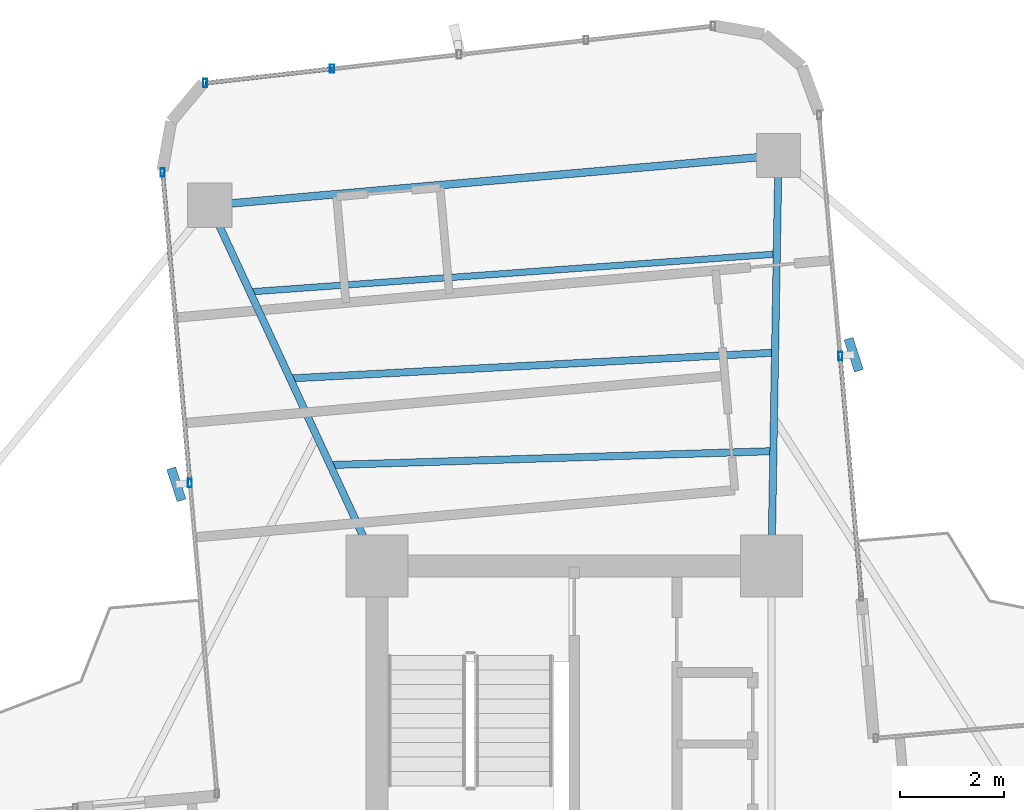
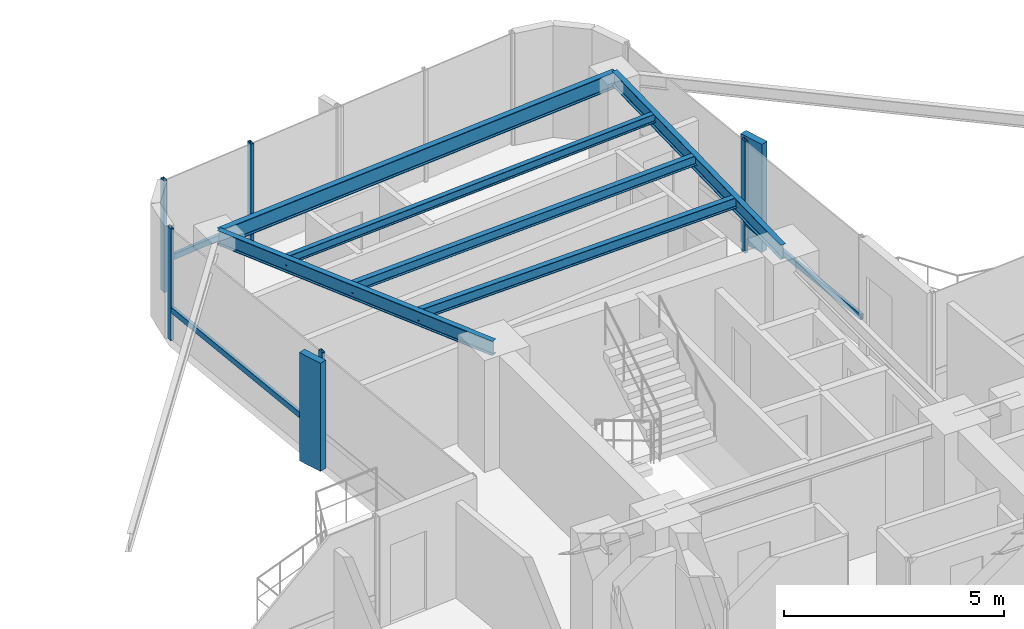
# One storey, part 16 of 24: 10 members, 6 beams, 3 elements without a shape of their own.
"""IFC4 building model written with IfcOpenShell, lengths in metres."""

from ifc_helpers import new_model, si_unit, direction, frame, origin, origin_2d, place, context, subcontext, project, spatial, rectangle, hollow_rectangle, i_section, extrude, source, transform, mapped, material, material_profile, profile_set, type_object, element, aggregate, save


model = new_model("IFC4")

# Units and contexts
model_context = context("Model", 3, precision=1e-05, world=origin(), true_north=direction((0.0, 1.0)))
body_context = subcontext(model_context, "Body", "Model", "MODEL_VIEW")
ifc_project = project(units=[si_unit("LENGTHUNIT", "METRE"), si_unit("AREAUNIT", "SQUARE_METRE"), si_unit("VOLUMEUNIT", "CUBIC_METRE"), si_unit("PLANEANGLEUNIT", "RADIAN"), si_unit("MASSUNIT", "GRAM", prefix="KILO")], contexts=[model_context])

# Site, building, storey
site_placement = place(None, origin())
site = spatial("IfcSite", under=ifc_project, at=site_placement, CompositionType="ELEMENT")
building_placement = place(site_placement, origin())
building = spatial("IfcBuilding", under=site, at=building_placement, Name="Sahyath Konkavel Grand Hotel", CompositionType="ELEMENT")
storey_placement = place(building_placement, frame((0.0, 0.0, 191.949951171875)))
storey = spatial("IfcBuildingStorey", under=building, at=storey_placement, Name="L53", CompositionType="ELEMENT", Elevation=191.949951171875)

# Beams
ifc_material_1 = material(Name="Steel E350", Category="steel")
ifc_material_profile_1 = material_profile(ifc_material_1, i_section(OverallWidth=0.139892578125, OverallDepth=0.39990234375, WebThickness=0.0087890625, FlangeThickness=0.01611328125, FilletRadius=0.013916015625, at=origin_2d()), Name="ISMB 400")
ifc_profile_set_1 = profile_set([ifc_material_profile_1], Name="Steel E350")
beam_type_1 = type_object("IfcBeamType", Name="BM-ISMB400", PredefinedType="BEAM", material=ifc_profile_set_1)
shared_shape_1 = source(origin(), body_context, "Body", "SweptSolid", [
    extrude(i_section(OverallWidth=0.139892578125, OverallDepth=0.39990234375, WebThickness=0.0087890625, FlangeThickness=0.01611328125, FilletRadius=0.013916015625, at=origin_2d()), origin(), (0.0, 0.0, 1.0), 7.913330078125),
])
beam_1_placement = place(storey_placement, frame((3.800048828125, 10.199951171875, 2.91015625), z_axis=(0.017215419232, 0.999851803689, 0.0), x_axis=(-0.999851803689, 0.017215419232, 0.0)))
element("IfcBeam", 1, at=beam_1_placement, inside=storey, type_object=beam_type_1, Name="L53 Cruciform Radial Girder NA", PredefinedType="BEAM", context=body_context, shape_type="MappedRepresentation", body=[
    mapped(shared_shape_1, transform((0.0, 0.0, 0.0), scale=1.0)),
])
shared_shape_2 = source(origin(), body_context, "Body", "SweptSolid", [
    extrude(i_section(OverallWidth=0.139892578125, OverallDepth=0.39990234375, WebThickness=0.0087890625, FlangeThickness=0.01611328125, FilletRadius=0.013916015625, at=origin_2d()), origin(), (0.0, 0.0, 1.0), 7.66357421875),
])
beam_2_placement = place(storey_placement, frame((-3.800048828125, 10.199951171875, 2.91015625), z_axis=(-0.420395127561, 0.907341135804, 0.0), x_axis=(-0.907341135804, -0.420395127561, 0.0)))
element("IfcBeam", 2, at=beam_2_placement, inside=storey, type_object=beam_type_1, Name="L53 Cruciform Radial Girder NB", PredefinedType="BEAM", context=body_context, shape_type="MappedRepresentation", body=[
    mapped(shared_shape_2, transform((0.0, 0.0, 0.0), scale=1.0)),
])
ifc_material_profile_2 = material_profile(ifc_material_1, i_section(OverallWidth=0.14990234375, OverallDepth=0.449951171875, WebThickness=0.009521484375, FlangeThickness=0.017333984375, FilletRadius=0.014892578125, at=origin_2d()), Name="ISMB 450")
ifc_profile_set_2 = profile_set([ifc_material_profile_2], Name="Steel E350")
beam_type_2 = type_object("IfcBeamType", Name="BM-ISMB450", PredefinedType="BEAM", material=ifc_profile_set_2)
shared_shape_3 = source(origin(), body_context, "Body", "SweptSolid", [
    extrude(i_section(OverallWidth=0.14990234375, OverallDepth=0.449951171875, WebThickness=0.009521484375, FlangeThickness=0.017333984375, FilletRadius=0.014892578125, at=origin_2d()), origin(), (0.0, 0.0, 1.0), 10.999755859375),
])
beam_3_placement = place(storey_placement, frame((3.936279296875, 18.112060546875, 2.885009765625), z_axis=(-0.99619439202, -0.087159241098, 0.0), x_axis=(0.087159241098, -0.99619439202, 0.0)))
element("IfcBeam", 3, at=beam_3_placement, inside=storey, type_object=beam_type_2, Name="L53 Wing Tip Edge Beam N", PredefinedType="BEAM", context=body_context, shape_type="MappedRepresentation", body=[
    mapped(shared_shape_3, transform((0.0, 0.0, 0.0), scale=1.0)),
])
ifc_material_profile_3 = material_profile(ifc_material_1, i_section(OverallWidth=0.139892578125, OverallDepth=0.300048828125, WebThickness=0.0078125, FlangeThickness=0.01318359375, FilletRadius=0.013916015625, at=origin_2d()), Name="ISMB 300")
ifc_profile_set_3 = profile_set([ifc_material_profile_3], Name="Steel E350")
beam_type_3 = type_object("IfcBeamType", Name="BM-ISMB300", PredefinedType="BEAM", material=ifc_profile_set_3)
shared_shape_4 = source(origin(), body_context, "Body", "SweptSolid", [
    extrude(i_section(OverallWidth=0.139892578125, OverallDepth=0.300048828125, WebThickness=0.0078125, FlangeThickness=0.01318359375, FilletRadius=0.013916015625, at=origin_2d()), origin(), (0.0, 0.0, 1.0), 8.54443359375),
])
beam_4_placement = place(storey_placement, frame((3.838134765625, 12.415283203125, 2.9599609375), z_axis=(-0.999506849365, -0.031401561632, 0.0), x_axis=(0.031401561632, -0.999506849365, 0.0)))
element("IfcBeam", 4, at=beam_4_placement, inside=storey, type_object=beam_type_3, Name="L53 Secondary Floor Beam N-1", PredefinedType="BEAM", context=body_context, shape_type="MappedRepresentation", body=[
    mapped(shared_shape_4, transform((0.0, 0.0, 0.0), scale=1.0)),
])
ifc_material_profile_4 = material_profile(ifc_material_1, i_section(OverallWidth=0.139892578125, OverallDepth=0.27490234375, WebThickness=0.00634765625, FlangeThickness=0.0087890625, FilletRadius=0.012939453125, at=origin_2d()), Name="ISLB 275")
ifc_profile_set_4 = profile_set([ifc_material_profile_4], Name="Steel E350")
beam_type_4 = type_object("IfcBeamType", Name="BM-ISLB275", PredefinedType="BEAM", material=ifc_profile_set_4)
shared_shape_5 = source(origin(), body_context, "Body", "SweptSolid", [
    extrude(i_section(OverallWidth=0.139892578125, OverallDepth=0.27490234375, WebThickness=0.00634765625, FlangeThickness=0.0087890625, FilletRadius=0.012939453125, at=origin_2d()), origin(), (0.0, 0.0, 1.0), 9.359375),
])
beam_5_placement = place(storey_placement, frame((3.870849609375, 14.314208984375, 2.97265625), z_axis=(-0.998580397723, -0.053265272769, 0.0), x_axis=(0.053265272769, -0.998580397723, 0.0)))
element("IfcBeam", 5, at=beam_5_placement, inside=storey, type_object=beam_type_4, Name="L53 Secondary Floor Beam N-2", PredefinedType="BEAM", context=body_context, shape_type="MappedRepresentation", body=[
    mapped(shared_shape_5, transform((0.0, 0.0, 0.0), scale=1.0)),
])
ifc_material_profile_5 = material_profile(ifc_material_1, i_section(OverallWidth=0.125, OverallDepth=0.25, WebThickness=0.0068359375, FlangeThickness=0.012451171875, FilletRadius=0.012939453125, at=origin_2d()), Name="ISMB 250")
ifc_profile_set_5 = profile_set([ifc_material_profile_5], Name="Steel E350")
beam_type_5 = type_object("IfcBeamType", Name="BM-ISMB250", PredefinedType="BEAM", material=ifc_profile_set_5)
shared_shape_6 = source(origin(), body_context, "Body", "SweptSolid", [
    extrude(i_section(OverallWidth=0.125, OverallDepth=0.25, WebThickness=0.0068359375, FlangeThickness=0.012451171875, FilletRadius=0.012939453125, at=origin_2d()), origin(), (0.0, 0.0, 1.0), 10.178466796875),
])
beam_6_placement = place(storey_placement, frame((3.90380859375, 16.213134765625, 2.985107421875), z_axis=(-0.997435268886, -0.071574327683, 0.0), x_axis=(0.071574327683, -0.997435268886, 0.0)))
element("IfcBeam", 6, at=beam_6_placement, inside=storey, type_object=beam_type_5, Name="L53 Secondary Floor Beam N-3", PredefinedType="BEAM", context=body_context, shape_type="MappedRepresentation", body=[
    mapped(shared_shape_6, transform((0.0, 0.0, 0.0), scale=1.0)),
])

# Curtain wall, member
ifc_material_2 = material(Name="Anodised Bronze Aluminium & Low-E Glazing", Category="aluminium")
curtain_wall_type = type_object("IfcCurtainWallType", Name="CW-ZONE3", PredefinedType="NOTDEFINED", material=ifc_material_2)
curtain_wall_1_placement = place(storey_placement, origin())
curtain_wall_1 = element("IfcCurtainWall", 7, at=curtain_wall_1_placement, inside=storey, type_object=curtain_wall_type, Name="L53 Unitised Curtain Wall F8", PredefinedType="NOTDEFINED")
ifc_material_3 = material(Name="Warm Buff Sandstone Cladding on Concrete C50/60", Category="masonry")
ifc_material_profile_6 = material_profile(ifc_material_3, rectangle(XDim=0.179931640625, YDim=0.64990234375, at=origin_2d()), Name="FIN 180x650")
ifc_profile_set_6 = profile_set([ifc_material_profile_6], Name="Warm Buff Sandstone Cladding on Concrete C50/60")
member_type_1 = type_object("IfcMemberType", Name="FIN-SANDSTONE-650", PredefinedType="MULLION", material=ifc_profile_set_6)
shared_shape_7 = source(origin(), body_context, "Body", "SweptSolid", [
    extrude(rectangle(XDim=0.179931640625, YDim=0.64990234375, at=origin_2d()), origin(), (0.0, 0.0, 1.0), 3.010009765625),
])
member_1_placement = place(storey_placement, frame((5.386474609375, 14.273681640625, 0.050048828125), z_axis=(0.0, 0.0, 1.0), x_axis=(0.951110435449, 0.308850998993, 0.0)))
member_1 = element("IfcMember", 8, at=member_1_placement, type_object=member_type_1, Name="L53 Sandstone Vertical Solar Fin FIN F8-1", PredefinedType="MULLION", context=body_context, shape_type="MappedRepresentation", body=[
    mapped(shared_shape_7, transform((0.0, 0.0, 0.0), scale=1.0)),
])

curtain_wall_2_placement = place(storey_placement, origin())
curtain_wall_2 = element("IfcCurtainWall", 9, at=curtain_wall_2_placement, inside=storey, type_object=curtain_wall_type, Name="L53 Unitised Curtain Wall F15", PredefinedType="NOTDEFINED")
member_2_placement = place(storey_placement, frame((-7.66552734375, 11.776611328125, 0.050048828125), z_axis=(0.0, 0.0, 1.0), x_axis=(0.951110435449, 0.308850998993, 0.0)))
member_2 = element("IfcMember", 10, at=member_2_placement, type_object=member_type_1, Name="L53 Sandstone Vertical Solar Fin FIN F15-1", PredefinedType="MULLION", context=body_context, shape_type="MappedRepresentation", body=[
    mapped(shared_shape_7, transform((0.0, 0.0, 0.0), scale=1.0)),
])

# Member
ifc_material_4 = material(Name="Anodised Bronze Aluminium", Category="aluminium")
ifc_material_profile_7 = material_profile(ifc_material_4, hollow_rectangle(XDim=0.080078125, YDim=0.159912109375, WallThickness=0.006103515625, at=origin_2d()), Name="RHS 160x80x6")
ifc_profile_set_7 = profile_set([ifc_material_profile_7], Name="Anodised Bronze Aluminium")
member_type_2 = type_object("IfcMemberType", Name="CW-MUL-160", PredefinedType="MULLION", material=ifc_profile_set_7)
shared_shape_8 = source(origin(), body_context, "Body", "SweptSolid", [
    extrude(hollow_rectangle(XDim=0.080078125, YDim=0.159912109375, WallThickness=0.006103515625, at=origin_2d()), origin(), (0.0, 0.0, 1.0), 3.110107421875),
])
member_3_placement = place(storey_placement, frame((5.12744140625, 14.251220703125, 0.0), z_axis=(0.0, 0.0, 1.0), x_axis=(1.0, 0.0, 0.0)))
member_3 = element("IfcMember", 11, at=member_3_placement, type_object=member_type_2, Name="L53 Curtain Wall Mullion F8-1", PredefinedType="MULLION", context=body_context, shape_type="MappedRepresentation", body=[
    mapped(shared_shape_8, transform((0.0, 0.0, 0.0), scale=1.0)),
])

# Curtain wall, members
curtain_wall_3_placement = place(storey_placement, origin())
curtain_wall_3 = element("IfcCurtainWall", 12, at=curtain_wall_3_placement, inside=storey, type_object=curtain_wall_type, Name="L53 Unitised Curtain Wall F12", PredefinedType="NOTDEFINED")
member_4_placement = place(storey_placement, frame((-4.665771484375, 19.783203125, 0.0), z_axis=(0.0, 0.0, 1.0), x_axis=(1.0, 0.0, 0.0)))
member_4 = element("IfcMember", 13, at=member_4_placement, type_object=member_type_2, Name="L53 Curtain Wall Mullion F12-3", PredefinedType="MULLION", context=body_context, shape_type="MappedRepresentation", body=[
    mapped(shared_shape_8, transform((0.0, 0.0, 0.0), scale=1.0)),
])
member_5_placement = place(storey_placement, frame((-7.1123046875, 19.507568359375, 0.0), z_axis=(0.0, 0.0, 1.0), x_axis=(1.0, 0.0, 0.0)))
member_5 = element("IfcMember", 14, at=member_5_placement, type_object=member_type_2, Name="L53 Curtain Wall Mullion F12-4", PredefinedType="MULLION", context=body_context, shape_type="MappedRepresentation", body=[
    mapped(shared_shape_8, transform((0.0, 0.0, 0.0), scale=1.0)),
])

# Member
member_6_placement = place(storey_placement, frame((-7.930419921875, 17.78662109375, 0.0), z_axis=(0.0, 0.0, 1.0), x_axis=(1.0, 0.0, 0.0)))
member_6 = element("IfcMember", 15, at=member_6_placement, type_object=member_type_2, Name="L53 Curtain Wall Mullion F15-0", PredefinedType="MULLION", context=body_context, shape_type="MappedRepresentation", body=[
    mapped(shared_shape_8, transform((0.0, 0.0, 0.0), scale=1.0)),
])

member_7_placement = place(storey_placement, frame((-7.406494140625, 11.79931640625, 0.0), z_axis=(0.0, 0.0, 1.0), x_axis=(1.0, 0.0, 0.0)))
member_7 = element("IfcMember", 16, at=member_7_placement, type_object=member_type_2, Name="L53 Curtain Wall Mullion F15-1", PredefinedType="MULLION", context=body_context, shape_type="MappedRepresentation", body=[
    mapped(shared_shape_8, transform((0.0, 0.0, 0.0), scale=1.0)),
])

ifc_material_profile_8 = material_profile(ifc_material_4, hollow_rectangle(XDim=0.080078125, YDim=0.159912109375, WallThickness=0.006103515625, at=origin_2d()), Name="RHS 160x80x6")
ifc_profile_set_8 = profile_set([ifc_material_profile_8], Name="Anodised Bronze Aluminium")
member_type_3 = type_object("IfcMemberType", Name="CW-TRN-160", PredefinedType="USERDEFINED", material=ifc_profile_set_8)
shared_shape_9 = source(origin(), body_context, "Body", "SweptSolid", [
    extrude(hollow_rectangle(XDim=0.080078125, YDim=0.159912109375, WallThickness=0.006103515625, at=origin_2d()), origin(), (0.0, 0.0, 1.0), 4.66015625),
])
member_8_placement = place(storey_placement, frame((5.53369140625, 9.60888671875, 0.85009765625), z_axis=(-0.087176698736, 0.996192864458, 0.0), x_axis=(-0.996192864458, -0.087176698736, 0.0)))
member_8 = element("IfcMember", 17, at=member_8_placement, type_object=member_type_3, Name="L53 Curtain Wall Transom F8-0-spandrel", ObjectType="TRANSOM", PredefinedType="USERDEFINED", context=body_context, shape_type="MappedRepresentation", body=[
    mapped(shared_shape_9, transform((0.0, 0.0, 0.0), scale=1.0)),
])

aggregate(curtain_wall_1, [member_3, member_1, member_8])

shared_shape_10 = source(origin(), body_context, "Body", "SweptSolid", [
    extrude(hollow_rectangle(XDim=0.080078125, YDim=0.159912109375, WallThickness=0.006103515625, at=origin_2d()), origin(), (0.0, 0.0, 1.0), 2.4619140625),
])
member_9_placement = place(storey_placement, frame((-4.665771484375, 19.783203125, 0.85009765625), z_axis=(-0.993713263833, -0.111955121731, 0.0), x_axis=(0.111955121731, -0.993713263833, 0.0)))
member_9 = element("IfcMember", 18, at=member_9_placement, type_object=member_type_3, Name="L53 Curtain Wall Transom F12-3-spandrel", ObjectType="TRANSOM", PredefinedType="USERDEFINED", context=body_context, shape_type="MappedRepresentation", body=[
    mapped(shared_shape_10, transform((0.0, 0.0, 0.0), scale=1.0)),
])

aggregate(curtain_wall_3, [member_4, member_5, member_9])

shared_shape_11 = source(origin(), body_context, "Body", "SweptSolid", [
    extrude(hollow_rectangle(XDim=0.080078125, YDim=0.159912109375, WallThickness=0.006103515625, at=origin_2d()), origin(), (0.0, 0.0, 1.0), 6.01025390625),
])
member_10_placement = place(storey_placement, frame((-7.930419921875, 17.78662109375, 0.85009765625), z_axis=(0.087172997156, -0.996193188376, 0.0), x_axis=(0.996193188376, 0.087172997156, 0.0)))
member_10 = element("IfcMember", 19, at=member_10_placement, type_object=member_type_3, Name="L53 Curtain Wall Transom F15-0-spandrel", ObjectType="TRANSOM", PredefinedType="USERDEFINED", context=body_context, shape_type="MappedRepresentation", body=[
    mapped(shared_shape_11, transform((0.0, 0.0, 0.0), scale=1.0)),
])

aggregate(curtain_wall_2, [member_6, member_7, member_2, member_10])

save(model, "model.ifc")
